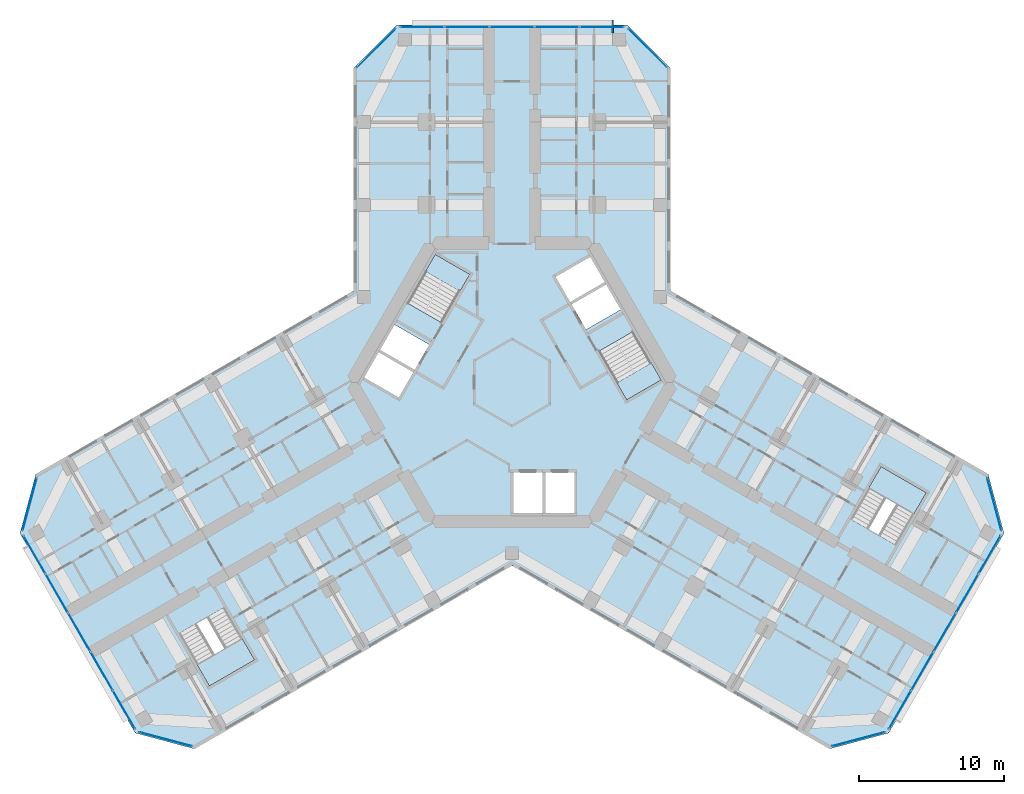
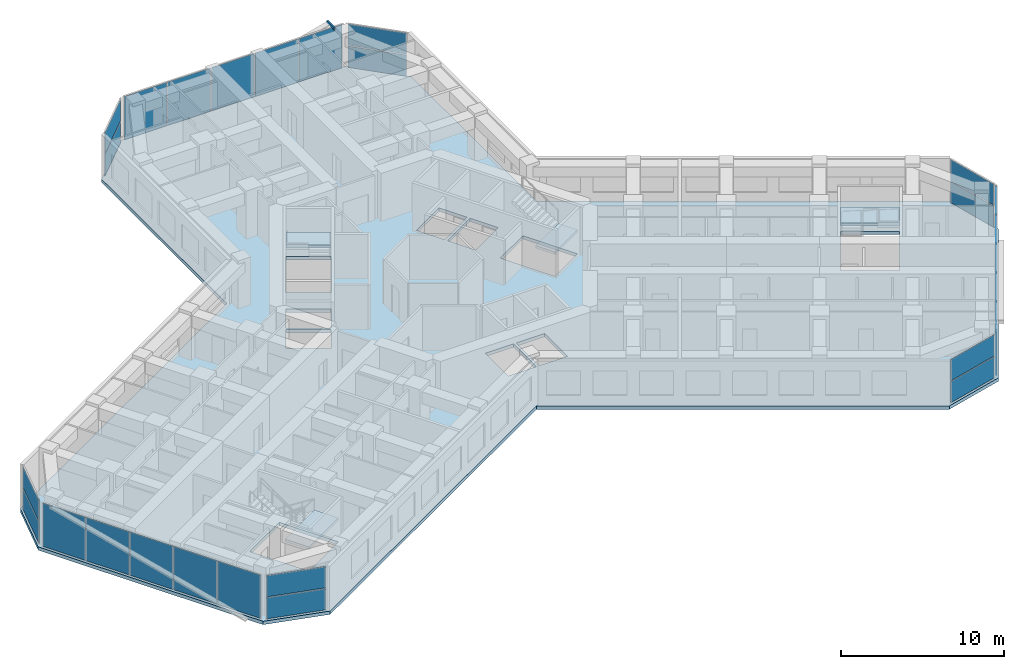
# One storey, part 9 of 19: 27 plates, 5 slabs, 1 member, 13 elements without a shape of their own.
"""IFC4 building model written with IfcOpenShell, lengths in metres."""

from ifc_helpers import new_model, si_unit, direction, frame, origin, origin_2d, place, context, subcontext, project, spatial, polyline, rectangle, hollow_rectangle, outline, extrude, material, layer, layer_set, material_profile, profile_set, type_object, element, aggregate, save


model = new_model("IFC4")

# Units and contexts
model_context = context("Model", 3, precision=1e-05, world=origin(), true_north=direction((0.0, 1.0)))
body_context = subcontext(model_context, "Body", "Model", "MODEL_VIEW")
ifc_project = project(units=[si_unit("LENGTHUNIT", "METRE"), si_unit("AREAUNIT", "SQUARE_METRE"), si_unit("VOLUMEUNIT", "CUBIC_METRE"), si_unit("PLANEANGLEUNIT", "RADIAN"), si_unit("MASSUNIT", "GRAM", prefix="KILO")], contexts=[model_context])

# Site, building, storey
site_placement = place(None, origin())
site = spatial("IfcSite", under=ifc_project, at=site_placement, CompositionType="ELEMENT")
building_placement = place(site_placement, origin())
building = spatial("IfcBuilding", under=site, at=building_placement, Name="Kosmar Iwan School Tower", CompositionType="ELEMENT")
storey_placement = place(building_placement, frame((0.0, 0.0, 141.800048828125)))
storey = spatial("IfcBuildingStorey", under=building, at=storey_placement, Name="L35", CompositionType="ELEMENT", Elevation=141.800048828125)

# Member
ifc_material_1 = material(Name="Steel S355", Category="steel")
ifc_material_profile = material_profile(ifc_material_1, hollow_rectangle(XDim=0.10009765625, YDim=0.199951171875, WallThickness=0.008056640625, at=origin_2d()), Name="RHS 200x100x8")
ifc_profile_set = profile_set([ifc_material_profile], Name="Steel S355")
member_type = type_object("IfcMemberType", Name="Fin bracket RHS 200x100", PredefinedType="USERDEFINED", material=ifc_profile_set)
member_placement = place(storey_placement, frame((6.949951171875, 24.10009765625, 3.474853515625), z_axis=(0.0, 1.0, 0.0), x_axis=(-1.0, 0.0, 0.0)))
element("IfcMember", 1, at=member_placement, inside=storey, type_object=member_type, Name="Fin bracket L36", ObjectType="FIN BRACKET", PredefinedType="USERDEFINED", context=body_context, shape_type="SweptSolid", body=[
    extrude(hollow_rectangle(XDim=0.10009765625, YDim=0.199951171875, WallThickness=0.008056640625, at=origin_2d()), origin(), (0.0, 0.0, 1.0), 0.89990234375),
])

# Curtain wall, plates
ifc_material_2 = material(Name="Dark glass in black aluminium frame", Category="aluminium")
curtain_wall_type_1 = type_object("IfcCurtainWallType", Name="Chamfer curtain wall dark glass", PredefinedType="USERDEFINED", material=ifc_material_2)
curtain_wall_1_placement = place(storey_placement, origin())
curtain_wall_1 = element("IfcCurtainWall", 2, at=curtain_wall_1_placement, inside=storey, type_object=curtain_wall_type_1, Name="Curtain wall L35-F02", ObjectType="FACETED CURTAIN WALL", PredefinedType="USERDEFINED")
ifc_material_3 = material(Name="Dark glass", Category="glass")
ifc_layer_1 = layer(ifc_material_3, 0.028076171875)
ifc_layer_set_1 = layer_set([ifc_layer_1], Name="Dark glass panel 28")
plate_type = type_object("IfcPlateType", Name="Dark glass panel 28", PredefinedType="CURTAIN_PANEL", material=ifc_layer_set_1)
plate_1_placement = place(storey_placement, frame((23.908203125, -24.61328125, 0.06005859375), z_axis=(0.0, 0.0, 1.0), x_axis=(0.965925875495, 0.258818861462, 0.0)))
plate_1 = element("IfcPlate", 3, at=plate_1_placement, type_object=plate_type, Name="CW2 panel 1.1", PredefinedType="CURTAIN_PANEL", context=body_context, shape_type="SweptSolid", body=[
    extrude(rectangle(XDim=3.718994140625, YDim=0.028076171875, at=origin_2d()), origin(), (0.0, 0.0, 1.0), 1.5849609375),
])
plate_2_placement = place(storey_placement, frame((23.908203125, -24.61328125, 1.705078125), z_axis=(0.0, 0.0, 1.0), x_axis=(0.965925875495, 0.258818861462, 0.0)))
plate_2 = element("IfcPlate", 4, at=plate_2_placement, type_object=plate_type, Name="CW2 panel 1.2", PredefinedType="CURTAIN_PANEL", context=body_context, shape_type="SweptSolid", body=[
    extrude(rectangle(XDim=3.718994140625, YDim=0.028076171875, at=origin_2d()), origin(), (0.0, 0.0, 1.0), 1.5849609375),
])
aggregate(curtain_wall_1, [plate_1, plate_2])

ifc_material_4 = material(Name="Dark glass in black aluminium frame", Category="aluminium")
curtain_wall_type_2 = type_object("IfcCurtainWallType", Name="Tower curtain wall dark glass", PredefinedType="USERDEFINED", material=ifc_material_4)
curtain_wall_2_placement = place(storey_placement, origin())
curtain_wall_2 = element("IfcCurtainWall", 5, at=curtain_wall_2_placement, inside=storey, type_object=curtain_wall_type_2, Name="Curtain wall L35-F03", ObjectType="UNITISED CURTAIN WALL", PredefinedType="USERDEFINED")
plate_3_placement = place(storey_placement, frame((26.764404296875, -22.592529296875, 0.06005859375), z_axis=(0.0, 0.0, 1.0), x_axis=(0.499999997325, 0.866025405329, 0.0)))
plate_3 = element("IfcPlate", 6, at=plate_3_placement, type_object=plate_type, Name="CW1 panel 1.1", PredefinedType="CURTAIN_PANEL", context=body_context, shape_type="SweptSolid", body=[
    extrude(rectangle(XDim=3.00927734375, YDim=0.028076171875, at=origin_2d()), origin(), (0.0, 0.0, 1.0), 3.22998046875),
])
plate_4_placement = place(storey_placement, frame((28.306640625, -19.921630859375, 0.06005859375), z_axis=(0.0, 0.0, 1.0), x_axis=(0.499999997325, 0.866025405329, 0.0)))
plate_4 = element("IfcPlate", 7, at=plate_4_placement, type_object=plate_type, Name="CW1 panel 2.1", PredefinedType="CURTAIN_PANEL", context=body_context, shape_type="SweptSolid", body=[
    extrude(rectangle(XDim=3.039306640625, YDim=0.028076171875, at=origin_2d()), origin(), (0.0, 0.0, 1.0), 3.22998046875),
])
plate_5_placement = place(storey_placement, frame((29.856201171875, -17.237548828125, 0.06005859375), z_axis=(0.0, 0.0, 1.0), x_axis=(0.499999997325, 0.866025405329, 0.0)))
plate_5 = element("IfcPlate", 8, at=plate_5_placement, type_object=plate_type, Name="CW1 panel 3.1", PredefinedType="CURTAIN_PANEL", context=body_context, shape_type="SweptSolid", body=[
    extrude(rectangle(XDim=3.039306640625, YDim=0.028076171875, at=origin_2d()), origin(), (0.0, 0.0, 1.0), 3.22998046875),
])
plate_6_placement = place(storey_placement, frame((31.40576171875, -14.553466796875, 0.06005859375), z_axis=(0.0, 0.0, 1.0), x_axis=(0.499999997325, 0.866025405329, 0.0)))
plate_6 = element("IfcPlate", 9, at=plate_6_placement, type_object=plate_type, Name="CW1 panel 4.1", PredefinedType="CURTAIN_PANEL", context=body_context, shape_type="SweptSolid", body=[
    extrude(rectangle(XDim=3.039306640625, YDim=0.028076171875, at=origin_2d()), origin(), (0.0, 0.0, 1.0), 3.22998046875),
])
plate_7_placement = place(storey_placement, frame((32.947998046875, -11.88232421875, 0.06005859375), z_axis=(0.0, 0.0, 1.0), x_axis=(0.499999997325, 0.866025405329, 0.0)))
plate_7 = element("IfcPlate", 10, at=plate_7_placement, type_object=plate_type, Name="CW1 panel 5.1", PredefinedType="CURTAIN_PANEL", context=body_context, shape_type="SweptSolid", body=[
    extrude(rectangle(XDim=3.00927734375, YDim=0.028076171875, at=origin_2d()), origin(), (0.0, 0.0, 1.0), 3.22998046875),
])
aggregate(curtain_wall_2, [plate_3, plate_4, plate_5, plate_6, plate_7])

curtain_wall_3_placement = place(storey_placement, origin())
curtain_wall_3 = element("IfcCurtainWall", 11, at=curtain_wall_3_placement, inside=storey, type_object=curtain_wall_type_1, Name="Curtain wall L35-F04", ObjectType="FACETED CURTAIN WALL", PredefinedType="USERDEFINED")
plate_8_placement = place(storey_placement, frame((33.269775390625, -8.3984375, 0.06005859375), z_axis=(0.0, 0.0, 1.0), x_axis=(-0.258818861462, 0.965925875495, 0.0)))
plate_8 = element("IfcPlate", 12, at=plate_8_placement, type_object=plate_type, Name="CW2 panel 1.1", PredefinedType="CURTAIN_PANEL", context=body_context, shape_type="SweptSolid", body=[
    extrude(rectangle(XDim=3.718994140625, YDim=0.028076171875, at=origin_2d()), origin(), (0.0, 0.0, 1.0), 1.5849609375),
])
plate_9_placement = place(storey_placement, frame((33.269775390625, -8.3984375, 1.705078125), z_axis=(0.0, 0.0, 1.0), x_axis=(-0.258818861462, 0.965925875495, 0.0)))
plate_9 = element("IfcPlate", 13, at=plate_9_placement, type_object=plate_type, Name="CW2 panel 1.2", PredefinedType="CURTAIN_PANEL", context=body_context, shape_type="SweptSolid", body=[
    extrude(rectangle(XDim=3.718994140625, YDim=0.028076171875, at=origin_2d()), origin(), (0.0, 0.0, 1.0), 1.5849609375),
])
aggregate(curtain_wall_3, [plate_8, plate_9])

curtain_wall_4_placement = place(storey_placement, origin())
curtain_wall_4 = element("IfcCurtainWall", 14, at=curtain_wall_4_placement, inside=storey, type_object=curtain_wall_type_1, Name="Curtain wall L35-F07", ObjectType="FACETED CURTAIN WALL", PredefinedType="USERDEFINED")
plate_10_placement = place(storey_placement, frame((9.361572265625, 23.0615234375, 0.06005859375), z_axis=(0.0, 0.0, 1.0), x_axis=(-0.707106781187, 0.707106781187, 0.0)))
plate_10 = element("IfcPlate", 15, at=plate_10_placement, type_object=plate_type, Name="CW2 panel 1.1", PredefinedType="CURTAIN_PANEL", context=body_context, shape_type="SweptSolid", body=[
    extrude(rectangle(XDim=3.718994140625, YDim=0.028076171875, at=origin_2d()), origin(), (0.0, 0.0, 1.0), 1.5849609375),
])
plate_11_placement = place(storey_placement, frame((9.361572265625, 23.0615234375, 1.705078125), z_axis=(0.0, 0.0, 1.0), x_axis=(-0.707106781187, 0.707106781187, 0.0)))
plate_11 = element("IfcPlate", 16, at=plate_11_placement, type_object=plate_type, Name="CW2 panel 1.2", PredefinedType="CURTAIN_PANEL", context=body_context, shape_type="SweptSolid", body=[
    extrude(rectangle(XDim=3.718994140625, YDim=0.028076171875, at=origin_2d()), origin(), (0.0, 0.0, 1.0), 1.5849609375),
])
aggregate(curtain_wall_4, [plate_10, plate_11])

curtain_wall_5_placement = place(storey_placement, origin())
curtain_wall_5 = element("IfcCurtainWall", 17, at=curtain_wall_5_placement, inside=storey, type_object=curtain_wall_type_2, Name="Curtain wall L35-F08", ObjectType="UNITISED CURTAIN WALL", PredefinedType="USERDEFINED")
plate_12_placement = place(storey_placement, frame((6.18359375, 24.52490234375, 0.06005859375), z_axis=(0.0, 0.0, 1.0), x_axis=(-1.0, 0.0, 0.0)))
plate_12 = element("IfcPlate", 18, at=plate_12_placement, type_object=plate_type, Name="CW1 panel 1.1", PredefinedType="CURTAIN_PANEL", context=body_context, shape_type="SweptSolid", body=[
    extrude(rectangle(XDim=3.00927734375, YDim=0.028076171875, at=origin_2d()), origin(), (0.0, 0.0, 1.0), 3.22998046875),
])
plate_13_placement = place(storey_placement, frame((3.099365234375, 24.52490234375, 0.06005859375), z_axis=(0.0, 0.0, 1.0), x_axis=(-1.0, 0.0, 0.0)))
plate_13 = element("IfcPlate", 19, at=plate_13_placement, type_object=plate_type, Name="CW1 panel 2.1", PredefinedType="CURTAIN_PANEL", context=body_context, shape_type="SweptSolid", body=[
    extrude(rectangle(XDim=3.039306640625, YDim=0.028076171875, at=origin_2d()), origin(), (0.0, 0.0, 1.0), 3.22998046875),
])
plate_14_placement = place(storey_placement, frame((0.0, 24.52490234375, 0.06005859375), z_axis=(0.0, 0.0, 1.0), x_axis=(-1.0, 0.0, 0.0)))
plate_14 = element("IfcPlate", 20, at=plate_14_placement, type_object=plate_type, Name="CW1 panel 3.1", PredefinedType="CURTAIN_PANEL", context=body_context, shape_type="SweptSolid", body=[
    extrude(rectangle(XDim=3.039306640625, YDim=0.028076171875, at=origin_2d()), origin(), (0.0, 0.0, 1.0), 3.22998046875),
])
plate_15_placement = place(storey_placement, frame((-3.099365234375, 24.52490234375, 0.06005859375), z_axis=(0.0, 0.0, 1.0), x_axis=(-1.0, 0.0, 0.0)))
plate_15 = element("IfcPlate", 21, at=plate_15_placement, type_object=plate_type, Name="CW1 panel 4.1", PredefinedType="CURTAIN_PANEL", context=body_context, shape_type="SweptSolid", body=[
    extrude(rectangle(XDim=3.039306640625, YDim=0.028076171875, at=origin_2d()), origin(), (0.0, 0.0, 1.0), 3.22998046875),
])
plate_16_placement = place(storey_placement, frame((-6.18359375, 24.52490234375, 0.06005859375), z_axis=(0.0, 0.0, 1.0), x_axis=(-1.0, 0.0, 0.0)))
plate_16 = element("IfcPlate", 22, at=plate_16_placement, type_object=plate_type, Name="CW1 panel 5.1", PredefinedType="CURTAIN_PANEL", context=body_context, shape_type="SweptSolid", body=[
    extrude(rectangle(XDim=3.00927734375, YDim=0.028076171875, at=origin_2d()), origin(), (0.0, 0.0, 1.0), 3.22998046875),
])
aggregate(curtain_wall_5, [plate_12, plate_13, plate_14, plate_15, plate_16])

curtain_wall_6_placement = place(storey_placement, origin())
curtain_wall_6 = element("IfcCurtainWall", 23, at=curtain_wall_6_placement, inside=storey, type_object=curtain_wall_type_1, Name="Curtain wall L35-F09", ObjectType="FACETED CURTAIN WALL", PredefinedType="USERDEFINED")
plate_17_placement = place(storey_placement, frame((-9.361572265625, 23.0615234375, 0.06005859375), z_axis=(0.0, 0.0, 1.0), x_axis=(-0.707106781187, -0.707106781187, 0.0)))
plate_17 = element("IfcPlate", 24, at=plate_17_placement, type_object=plate_type, Name="CW2 panel 1.1", PredefinedType="CURTAIN_PANEL", context=body_context, shape_type="SweptSolid", body=[
    extrude(rectangle(XDim=3.718994140625, YDim=0.028076171875, at=origin_2d()), origin(), (0.0, 0.0, 1.0), 1.5849609375),
])
plate_18_placement = place(storey_placement, frame((-9.361572265625, 23.0615234375, 1.705078125), z_axis=(0.0, 0.0, 1.0), x_axis=(-0.707106781187, -0.707106781187, 0.0)))
plate_18 = element("IfcPlate", 25, at=plate_18_placement, type_object=plate_type, Name="CW2 panel 1.2", PredefinedType="CURTAIN_PANEL", context=body_context, shape_type="SweptSolid", body=[
    extrude(rectangle(XDim=3.718994140625, YDim=0.028076171875, at=origin_2d()), origin(), (0.0, 0.0, 1.0), 1.5849609375),
])
aggregate(curtain_wall_6, [plate_17, plate_18])

curtain_wall_7_placement = place(storey_placement, origin())
curtain_wall_7 = element("IfcCurtainWall", 26, at=curtain_wall_7_placement, inside=storey, type_object=curtain_wall_type_1, Name="Curtain wall L35-F12", ObjectType="FACETED CURTAIN WALL", PredefinedType="USERDEFINED")
plate_19_placement = place(storey_placement, frame((-33.269775390625, -8.3984375, 0.06005859375), z_axis=(0.0, 0.0, 1.0), x_axis=(-0.258818861462, -0.965925875495, 0.0)))
plate_19 = element("IfcPlate", 27, at=plate_19_placement, type_object=plate_type, Name="CW2 panel 1.1", PredefinedType="CURTAIN_PANEL", context=body_context, shape_type="SweptSolid", body=[
    extrude(rectangle(XDim=3.718994140625, YDim=0.028076171875, at=origin_2d()), origin(), (0.0, 0.0, 1.0), 1.5849609375),
])
plate_20_placement = place(storey_placement, frame((-33.269775390625, -8.3984375, 1.705078125), z_axis=(0.0, 0.0, 1.0), x_axis=(-0.258818861462, -0.965925875495, 0.0)))
plate_20 = element("IfcPlate", 28, at=plate_20_placement, type_object=plate_type, Name="CW2 panel 1.2", PredefinedType="CURTAIN_PANEL", context=body_context, shape_type="SweptSolid", body=[
    extrude(rectangle(XDim=3.718994140625, YDim=0.028076171875, at=origin_2d()), origin(), (0.0, 0.0, 1.0), 1.5849609375),
])
aggregate(curtain_wall_7, [plate_19, plate_20])

curtain_wall_8_placement = place(storey_placement, origin())
curtain_wall_8 = element("IfcCurtainWall", 29, at=curtain_wall_8_placement, inside=storey, type_object=curtain_wall_type_2, Name="Curtain wall L35-F13", ObjectType="UNITISED CURTAIN WALL", PredefinedType="USERDEFINED")
plate_21_placement = place(storey_placement, frame((-32.947998046875, -11.88232421875, 0.06005859375), z_axis=(0.0, 0.0, 1.0), x_axis=(0.499999997325, -0.866025405329, 0.0)))
plate_21 = element("IfcPlate", 30, at=plate_21_placement, type_object=plate_type, Name="CW1 panel 1.1", PredefinedType="CURTAIN_PANEL", context=body_context, shape_type="SweptSolid", body=[
    extrude(rectangle(XDim=3.00927734375, YDim=0.028076171875, at=origin_2d()), origin(), (0.0, 0.0, 1.0), 3.22998046875),
])
plate_22_placement = place(storey_placement, frame((-31.40576171875, -14.553466796875, 0.06005859375), z_axis=(0.0, 0.0, 1.0), x_axis=(0.499999997325, -0.866025405329, 0.0)))
plate_22 = element("IfcPlate", 31, at=plate_22_placement, type_object=plate_type, Name="CW1 panel 2.1", PredefinedType="CURTAIN_PANEL", context=body_context, shape_type="SweptSolid", body=[
    extrude(rectangle(XDim=3.039306640625, YDim=0.028076171875, at=origin_2d()), origin(), (0.0, 0.0, 1.0), 3.22998046875),
])
plate_23_placement = place(storey_placement, frame((-29.856201171875, -17.237548828125, 0.06005859375), z_axis=(0.0, 0.0, 1.0), x_axis=(0.499999997325, -0.866025405329, 0.0)))
plate_23 = element("IfcPlate", 32, at=plate_23_placement, type_object=plate_type, Name="CW1 panel 3.1", PredefinedType="CURTAIN_PANEL", context=body_context, shape_type="SweptSolid", body=[
    extrude(rectangle(XDim=3.039306640625, YDim=0.028076171875, at=origin_2d()), origin(), (0.0, 0.0, 1.0), 3.22998046875),
])
plate_24_placement = place(storey_placement, frame((-28.306640625, -19.921630859375, 0.06005859375), z_axis=(0.0, 0.0, 1.0), x_axis=(0.499999997325, -0.866025405329, 0.0)))
plate_24 = element("IfcPlate", 33, at=plate_24_placement, type_object=plate_type, Name="CW1 panel 4.1", PredefinedType="CURTAIN_PANEL", context=body_context, shape_type="SweptSolid", body=[
    extrude(rectangle(XDim=3.039306640625, YDim=0.028076171875, at=origin_2d()), origin(), (0.0, 0.0, 1.0), 3.22998046875),
])
plate_25_placement = place(storey_placement, frame((-26.764404296875, -22.592529296875, 0.06005859375), z_axis=(0.0, 0.0, 1.0), x_axis=(0.499999997325, -0.866025405329, 0.0)))
plate_25 = element("IfcPlate", 34, at=plate_25_placement, type_object=plate_type, Name="CW1 panel 5.1", PredefinedType="CURTAIN_PANEL", context=body_context, shape_type="SweptSolid", body=[
    extrude(rectangle(XDim=3.00927734375, YDim=0.028076171875, at=origin_2d()), origin(), (0.0, 0.0, 1.0), 3.22998046875),
])
aggregate(curtain_wall_8, [plate_21, plate_22, plate_23, plate_24, plate_25])

curtain_wall_9_placement = place(storey_placement, origin())
curtain_wall_9 = element("IfcCurtainWall", 35, at=curtain_wall_9_placement, inside=storey, type_object=curtain_wall_type_1, Name="Curtain wall L35-F14", ObjectType="FACETED CURTAIN WALL", PredefinedType="USERDEFINED")
plate_26_placement = place(storey_placement, frame((-23.908203125, -24.61328125, 0.06005859375), z_axis=(0.0, 0.0, 1.0), x_axis=(0.965925875495, -0.258818861462, 0.0)))
plate_26 = element("IfcPlate", 36, at=plate_26_placement, type_object=plate_type, Name="CW2 panel 1.1", PredefinedType="CURTAIN_PANEL", context=body_context, shape_type="SweptSolid", body=[
    extrude(rectangle(XDim=3.718994140625, YDim=0.028076171875, at=origin_2d()), origin(), (0.0, 0.0, 1.0), 1.5849609375),
])
plate_27_placement = place(storey_placement, frame((-23.908203125, -24.61328125, 1.705078125), z_axis=(0.0, 0.0, 1.0), x_axis=(0.965925875495, -0.258818861462, 0.0)))
plate_27 = element("IfcPlate", 37, at=plate_27_placement, type_object=plate_type, Name="CW2 panel 1.2", PredefinedType="CURTAIN_PANEL", context=body_context, shape_type="SweptSolid", body=[
    extrude(rectangle(XDim=3.718994140625, YDim=0.028076171875, at=origin_2d()), origin(), (0.0, 0.0, 1.0), 1.5849609375),
])
aggregate(curtain_wall_9, [plate_26, plate_27])

# Stair, slab
ifc_material_5 = material(Name="Concrete C35/45", Category="concrete")
stair_type_1 = type_object("IfcStairType", Name="Escape stair 3600", PredefinedType="HALF_TURN_STAIR", material=ifc_material_5)
stair_1_placement = place(storey_placement, origin())
stair_1 = element("IfcStair", 38, at=stair_1_placement, inside=storey, type_object=stair_type_1, Name="Stair WS2 L35", PredefinedType="HALF_TURN_STAIR")
ifc_material_6 = material(Name="Concrete C35/45", Category="concrete")
ifc_layer_2 = layer(ifc_material_6, 0.199951171875)
ifc_layer_set_2 = layer_set([ifc_layer_2], Name="Escape stair landing 200")
slab_type_1 = type_object("IfcSlabType", Name="Escape stair landing 200", PredefinedType="LANDING", material=ifc_layer_set_2)
slab_1_placement = place(storey_placement, frame((0.0, 0.0, 1.599853515625)))
slab_1 = element("IfcSlab", 39, at=slab_1_placement, type_object=slab_type_1, Name="WS2 landing 1", PredefinedType="LANDING", context=body_context, shape_type="SweptSolid", body=[
    extrude(outline(polyline([(-18.607421875, -17.671142578125), (-21.72509765625, -19.47119140625), (-20.875, -20.943359375), (-17.75732421875, -19.143310546875), (-18.607421875, -17.671142578125)])), origin(), (0.0, 0.0, 1.0), 0.2001953125),
])
aggregate(stair_1, [slab_1])

stair_2_placement = place(storey_placement, origin())
stair_2 = element("IfcStair", 40, at=stair_2_placement, inside=storey, type_object=stair_type_1, Name="Stair WS3 L35", PredefinedType="HALF_TURN_STAIR")
slab_2_placement = place(storey_placement, frame((0.0, 0.0, 1.599853515625)))
slab_2 = element("IfcSlab", 41, at=slab_2_placement, type_object=slab_type_1, Name="WS3 landing 1", PredefinedType="LANDING", context=body_context, shape_type="SweptSolid", body=[
    extrude(outline(polyline([(24.607421875, -7.27880859375), (27.72509765625, -9.078857421875), (28.574951171875, -7.606689453125), (25.457275390625, -5.806640625), (24.607421875, -7.27880859375)])), origin(), (0.0, 0.0, 1.0), 0.2001953125),
])
aggregate(stair_2, [slab_2])

# Slab
ifc_material_7 = material(Name="Concrete C35/45", Category="concrete")
ifc_layer_3 = layer(ifc_material_7, 0.25)
ifc_layer_set_3 = layer_set([ifc_layer_3], Name="Floor slab 250")
slab_type_2 = type_object("IfcSlabType", Name="Floor slab 250", PredefinedType="FLOOR", material=ifc_layer_set_3)
slab_3_placement = place(storey_placement, frame((0.0, 0.0, -0.25)))
element("IfcSlab", 42, at=slab_3_placement, inside=storey, type_object=slab_type_2, Name="L35 floor slab", PredefinedType="FLOOR", context=body_context, shape_type="SweptSolid", body=[
    extrude(outline(polyline([(-21.891357421875, -25.282958984375), (0.0, -12.64404296875), (21.891357421875, -25.282958984375), (25.989501953125, -24.184814453125), (33.939453125, -10.4150390625), (32.84130859375, -6.317138671875), (10.949951171875, 6.322021484375), (10.949951171875, 21.64990234375), (7.949951171875, 24.64990234375), (-7.949951171875, 24.64990234375), (-10.949951171875, 21.64990234375), (-10.949951171875, 6.322021484375), (-32.84130859375, -6.317138671875), (-33.939453125, -10.4150390625), (-25.989501953125, -24.184814453125), (-21.891357421875, -25.282958984375)]), holes=[polyline([(7.91259765625, -1.205078125), (10.294189453125, 0.169921875), (8.3642578125, 3.5126953125), (5.982666015625, 2.1376953125), (7.91259765625, -1.205078125)]), polyline([(-2.91259765625, 7.455078125), (-5.294189453125, 8.830078125), (-7.22412109375, 5.4873046875), (-4.8427734375, 4.1123046875), (-2.91259765625, 7.455078125)]), polyline([(-5.712646484375, 2.60546875), (-8.09423828125, 3.98046875), (-9.09423828125, 2.248291015625), (-6.712646484375, 0.873291015625), (-5.712646484375, 2.60546875)]), polyline([(-6.812744140625, 0.7001953125), (-9.1943359375, 2.0751953125), (-10.1943359375, 0.343017578125), (-7.812744140625, -1.031982421875), (-6.812744140625, 0.7001953125)]), polyline([(5.112548828125, 3.64453125), (7.494140625, 5.01953125), (6.494140625, 6.751708984375), (4.112548828125, 5.376708984375), (5.112548828125, 3.64453125)]), polyline([(4.0126953125, 5.5498046875), (6.394287109375, 6.9248046875), (5.394287109375, 8.656982421875), (3.0126953125, 7.281982421875), (4.0126953125, 5.5498046875)]), polyline([(0.10009765625, -6.199951171875), (0.10009765625, -9.0), (2.10009765625, -9.0), (2.10009765625, -6.199951171875), (0.10009765625, -6.199951171875)]), polyline([(2.300048828125, -6.199951171875), (2.300048828125, -9.0), (4.300048828125, -9.0), (4.300048828125, -6.199951171875), (2.300048828125, -6.199951171875)]), polyline([(-19.847412109375, -15.5234375), (-22.965087890625, -17.323486328125), (-20.875, -20.943359375), (-17.75732421875, -19.143310546875), (-19.847412109375, -15.5234375)]), polyline([(23.367431640625, -9.426513671875), (26.485107421875, -11.2265625), (28.574951171875, -7.606689453125), (25.457275390625, -5.806640625), (23.367431640625, -9.426513671875)])]), origin(), (0.0, 0.0, 1.0), 0.25),
])

# Stair, slab
ifc_material_8 = material(Name="Concrete C35/45", Category="concrete")
stair_type_2 = type_object("IfcStairType", Name="Core stair 2750", PredefinedType="HALF_TURN_STAIR", material=ifc_material_8)
stair_3_placement = place(storey_placement, origin())
stair_3 = element("IfcStair", 43, at=stair_3_placement, inside=storey, type_object=stair_type_2, Name="Stair ST2 L35", PredefinedType="HALF_TURN_STAIR")
ifc_material_9 = material(Name="Concrete C35/45", Category="concrete")
ifc_layer_4 = layer(ifc_material_9, 0.199951171875)
ifc_layer_set_4 = layer_set([ifc_layer_4], Name="Stair landing 200")
slab_type_3 = type_object("IfcSlabType", Name="Stair landing 200", PredefinedType="LANDING", material=ifc_layer_set_4)
slab_4_placement = place(storey_placement, frame((0.0, 0.0, 1.599853515625)))
slab_4 = element("IfcSlab", 44, at=slab_4_placement, type_object=slab_type_3, Name="ST2 landing 1", PredefinedType="LANDING", context=body_context, shape_type="SweptSolid", body=[
    extrude(outline(polyline([(-2.91259765625, 7.455078125), (-5.294189453125, 8.830078125), (-5.97412109375, 7.65234375), (-3.5927734375, 6.27734375), (-2.91259765625, 7.455078125)])), origin(), (0.0, 0.0, 1.0), 0.2001953125),
])
aggregate(stair_3, [slab_4])

stair_4_placement = place(storey_placement, origin())
stair_4 = element("IfcStair", 45, at=stair_4_placement, inside=storey, type_object=stair_type_2, Name="Stair ST1 L35", PredefinedType="HALF_TURN_STAIR")
slab_5_placement = place(storey_placement, frame((0.0, 0.0, 1.599853515625)))
slab_5 = element("IfcSlab", 46, at=slab_5_placement, type_object=slab_type_3, Name="ST1 landing 1", PredefinedType="LANDING", context=body_context, shape_type="SweptSolid", body=[
    extrude(outline(polyline([(7.91259765625, -1.205078125), (10.294189453125, 0.169921875), (9.6142578125, 1.34765625), (7.232666015625, -0.02734375), (7.91259765625, -1.205078125)])), origin(), (0.0, 0.0, 1.0), 0.2001953125),
])
aggregate(stair_4, [slab_5])

save(model, "model.ifc")
